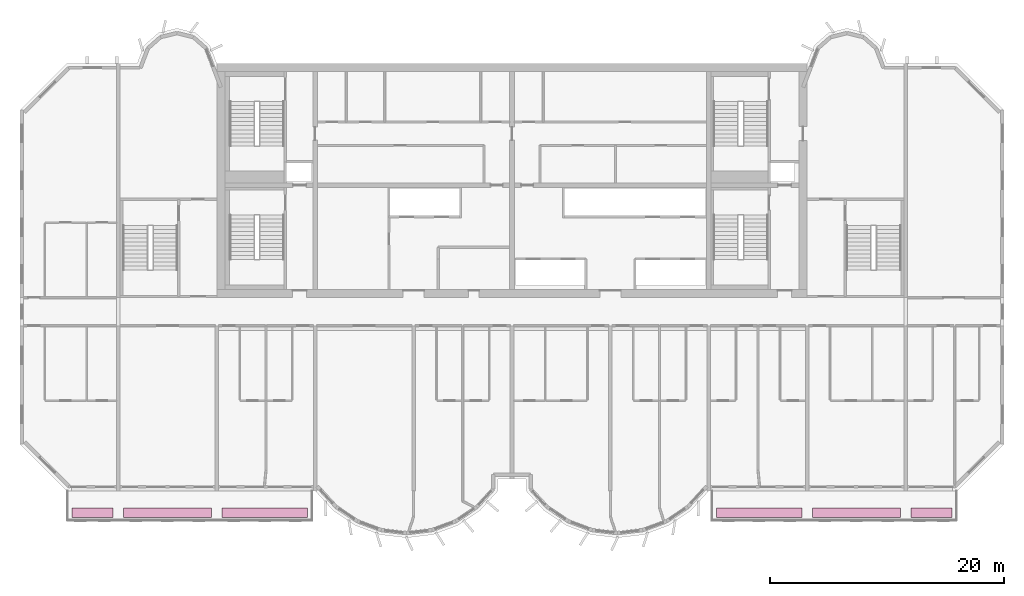
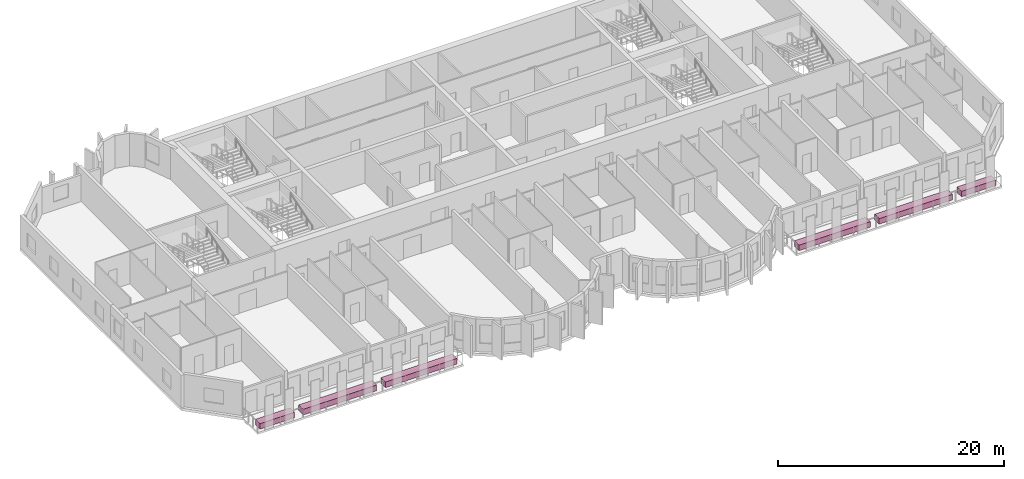
# One storey, part 13 of 13: 6 furniture elements.
"""IFC4 building model written with IfcOpenShell, lengths in metres."""

from ifc_helpers import new_model, si_unit, direction, frame, origin, origin_2d, place, context, subcontext, project, spatial, rectangle, extrude, source, transform, mapped, material, type_object, element, save


model = new_model("IFC4")

# Units and contexts
model_context = context("Model", 3, precision=1e-05, world=origin(), true_north=direction((0.0, 1.0)))
body_context = subcontext(model_context, "Body", "Model", "MODEL_VIEW")
ifc_project = project(units=[si_unit("LENGTHUNIT", "METRE"), si_unit("AREAUNIT", "SQUARE_METRE"), si_unit("VOLUMEUNIT", "CUBIC_METRE"), si_unit("PLANEANGLEUNIT", "RADIAN"), si_unit("MASSUNIT", "GRAM", prefix="KILO")], contexts=[model_context])

# Site, building, storey
site_placement = place(None, origin())
site = spatial("IfcSite", under=ifc_project, at=site_placement, CompositionType="ELEMENT")
building_placement = place(site_placement, origin())
building = spatial("IfcBuilding", under=site, at=building_placement, Name="Vanashikhar Sky Hotel", CompositionType="ELEMENT")
storey_placement = place(building_placement, frame((0.0, 0.0, 159.199951171875)))
storey = spatial("IfcBuildingStorey", under=building, at=storey_placement, Name="L38", CompositionType="ELEMENT", Elevation=159.199951171875)

# Furniture
ifc_material = material(Name="Planting soil and shrubs")
furniture_type = type_object("IfcFurnitureType", Name="Planter trough", AssemblyPlace="NOTDEFINED", PredefinedType="USERDEFINED", material=ifc_material)
shared_shape_1 = source(origin(), body_context, "Body", "SweptSolid", [
    extrude(rectangle(XDim=3.5, YDim=0.800048828125, at=origin_2d()), origin(), (0.0, 0.0, 1.0), 0.60009765625),
])
for number, where, z_axis, x_axis, name in (
    (1, (14.60009765625, 3.64990234375, -0.050048828125), (0.0, 0.0, 1.0), (1.0, 0.0, 0.0), "PLANTER with climbers"),
    (2, (86.199951171875, 3.64990234375, -0.050048828125), (0.0, 0.0, 1.0), (1.0, 0.0, 0.0), "PLANTER with climbers"),
):
    element("IfcFurniture", number, at=place(storey_placement, frame(where, z_axis=z_axis, x_axis=x_axis)), inside=storey, type_object=furniture_type, Name=name, ObjectType="PLANTER", PredefinedType="USERDEFINED", context=body_context, shape_type="MappedRepresentation", body=[
        mapped(shared_shape_1, transform((0.0, 0.0, 0.0), scale=1.0)),
    ])
shared_shape_2 = source(origin(), body_context, "Body", "SweptSolid", [
    extrude(rectangle(XDim=7.5, YDim=0.800048828125, at=origin_2d()), origin(), (0.0, 0.0, 1.0), 0.60009765625),
])
for number, where, z_axis, x_axis, name in (
    (3, (21.0, 3.64990234375, -0.050048828125), (0.0, 0.0, 1.0), (1.0, 0.0, 0.0), "PLANTER with climbers"),
    (4, (79.800048828125, 3.64990234375, -0.050048828125), (0.0, 0.0, 1.0), (1.0, 0.0, 0.0), "PLANTER with climbers"),
):
    element("IfcFurniture", number, at=place(storey_placement, frame(where, z_axis=z_axis, x_axis=x_axis)), inside=storey, type_object=furniture_type, Name=name, ObjectType="PLANTER", PredefinedType="USERDEFINED", context=body_context, shape_type="MappedRepresentation", body=[
        mapped(shared_shape_2, transform((0.0, 0.0, 0.0), scale=1.0)),
    ])
shared_shape_3 = source(origin(), body_context, "Body", "SweptSolid", [
    extrude(rectangle(XDim=7.300048828125, YDim=0.800048828125, at=origin_2d()), origin(), (0.0, 0.0, 1.0), 0.60009765625),
])
for number, where, z_axis, x_axis, name in (
    (5, (29.300048828125, 3.64990234375, -0.050048828125), (0.0, 0.0, 1.0), (1.0, 0.0, 0.0), "PLANTER with climbers"),
    (6, (71.5, 3.64990234375, -0.050048828125), (0.0, 0.0, 1.0), (1.0, 0.0, 0.0), "PLANTER with climbers"),
):
    element("IfcFurniture", number, at=place(storey_placement, frame(where, z_axis=z_axis, x_axis=x_axis)), inside=storey, type_object=furniture_type, Name=name, ObjectType="PLANTER", PredefinedType="USERDEFINED", context=body_context, shape_type="MappedRepresentation", body=[
        mapped(shared_shape_3, transform((0.0, 0.0, 0.0), scale=1.0)),
    ])

save(model, "model.ifc")
